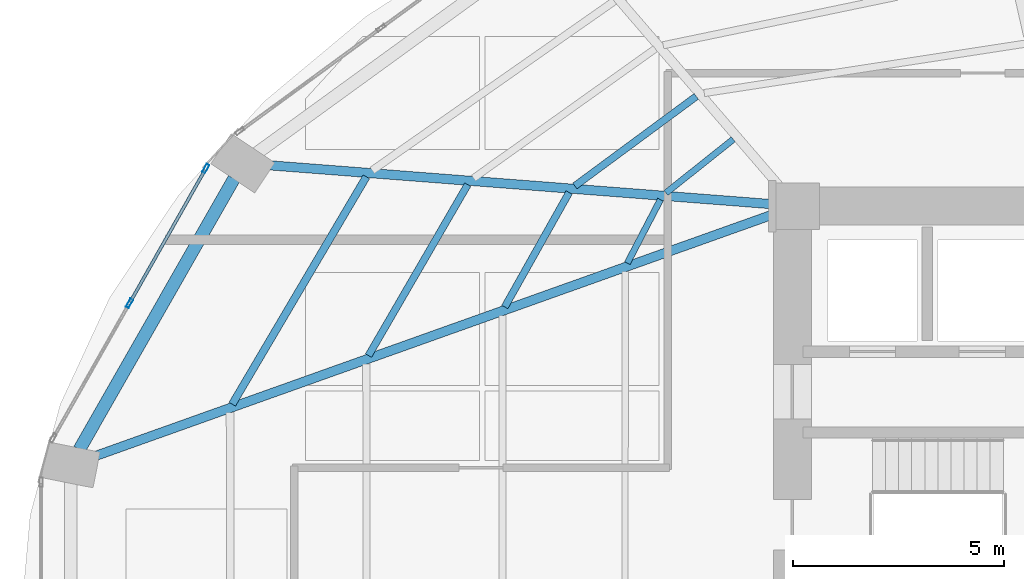
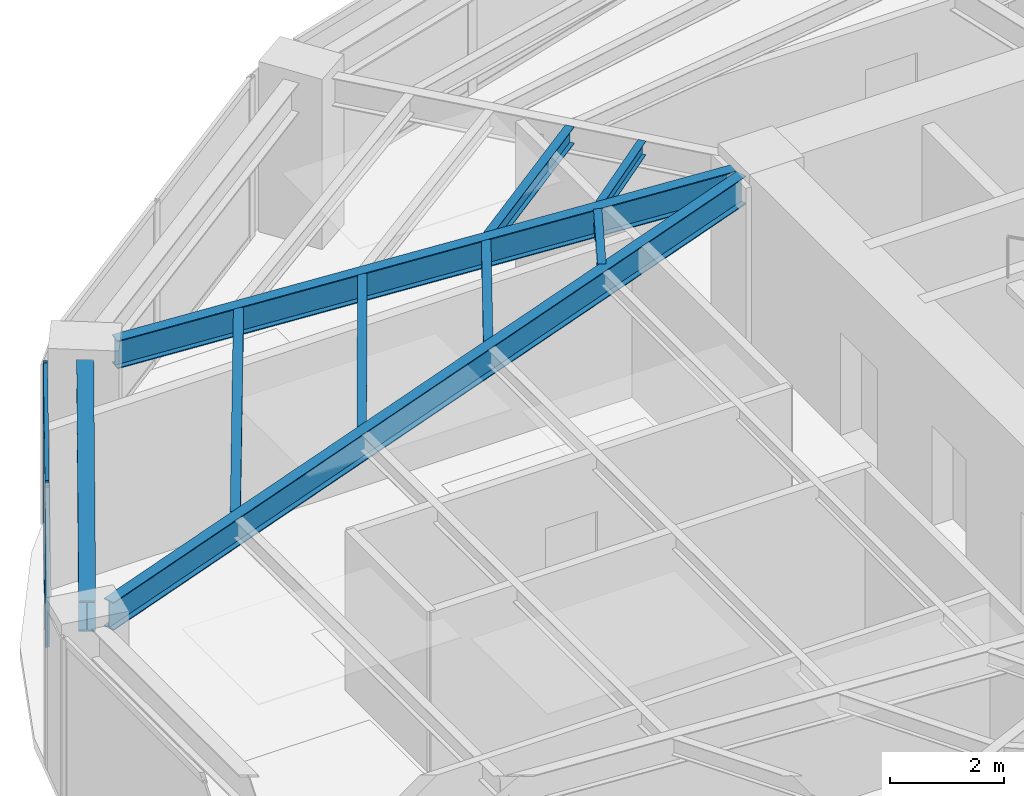
# One storey, part 8 of 24: 9 beams, 4 members, 1 element without a shape of its own.
"""IFC4 building model written with IfcOpenShell, lengths in metres."""

import ifcopenshell
import ifcopenshell.guid

model = None  # the IFC model being written
_history = None  # IfcOwnerHistory: only IFC2X3 demands one
_inside = {}  # id of a spatial element -> (the spatial element, [elements in it])
_under = {}  # id of a project, library or spatial element -> (it, [spatial elements below it])
_declared = {}  # id of a project -> (the project, [libraries it declares])
_typed = {}  # id of a type object -> (the type object, [elements of that type])
_made_of = {}  # id of a material, layer set ... -> (it, [elements and type objects made of it])


def new_model(schema):
    """Start an empty IFC model of exactly this schema.

    Asked for "IFC4X3", IfcOpenShell would pick the latest addendum, in which some entities
    have other attributes; the version numbers below select the first issue.
    IFC2X3 requires an IfcOwnerHistory on every rooted entity: one is made here for all.
    """
    global model, _history
    if schema == "IFC4X3":
        model = ifcopenshell.file(schema_version=(4, 3, 0, 0))
    else:
        model = ifcopenshell.file(schema=schema)
    _inside.clear()
    _under.clear()
    _declared.clear()
    _typed.clear()
    _made_of.clear()
    _history = None
    if model.schema == "IFC2X3":
        org = make("IfcOrganization", Name="unknown")
        user = make(
            "IfcPersonAndOrganization",
            ThePerson=make("IfcPerson", FamilyName="unknown"),
            TheOrganization=org,
        )
        app = make(
            "IfcApplication",
            ApplicationDeveloper=org,
            Version="unknown",
            ApplicationFullName="unknown",
            ApplicationIdentifier="unknown",
        )
        _history = make(
            "IfcOwnerHistory",
            OwningUser=user,
            OwningApplication=app,
            ChangeAction="ADDED",
            CreationDate=0,
        )
    return model


def make(cls, **values):
    """One entity of the class cls with the attributes given. An attribute that is None is left unset."""
    return model.create_entity(
        cls, **{name: value for name, value in values.items() if value is not None}
    )


def rooted(cls, **values):
    """An entity with a GlobalId (a new one), such as an element, a storey or a relation."""
    return make(cls, GlobalId=ifcopenshell.guid.new(), OwnerHistory=_history, **values)


def si_unit(unit_type, name, prefix=None):
    """IfcSIUnit, for example si_unit("LENGTHUNIT", "METRE", prefix="MILLI")."""
    return make("IfcSIUnit", UnitType=unit_type, Prefix=prefix, Name=name)


def assignment(units):
    """IfcUnitAssignment: the units of a project."""
    return None if units is None else make("IfcUnitAssignment", Units=units)


def point(xyz):
    """IfcCartesianPoint."""
    return None if xyz is None else make("IfcCartesianPoint", Coordinates=xyz)


def direction(xyz):
    """IfcDirection."""
    return None if xyz is None else make("IfcDirection", DirectionRatios=xyz)


def frame(location, z_axis=None, x_axis=None):
    """IfcAxis2Placement3D, a coordinate frame: its origin and axes. An axis left out is left unset."""
    return make(
        "IfcAxis2Placement3D",
        Location=point(location),
        Axis=direction(z_axis),
        RefDirection=direction(x_axis),
    )


def frame_2d(location, x_axis=None):
    """IfcAxis2Placement2D, a coordinate frame in the plane: its origin and x axis."""
    return make(
        "IfcAxis2Placement2D", Location=point(location), RefDirection=direction(x_axis)
    )


def origin():
    """The frame at (0, 0, 0) with its axes left unset."""
    return frame((0.0, 0.0, 0.0))


def origin_2d():
    """The frame at (0, 0) in the plane with its x axis left unset."""
    return frame_2d((0.0, 0.0))


def place(relative_to, where):
    """IfcLocalPlacement: puts the frame where relative to a parent placement (None: the world)."""
    return make(
        "IfcLocalPlacement", PlacementRelTo=relative_to, RelativePlacement=where
    )


def context(
    kind, dimensions, precision=None, world=None, true_north=None, identifier=None
):
    """IfcGeometricRepresentationContext, for example the 3D "Model" context."""
    return make(
        "IfcGeometricRepresentationContext",
        ContextIdentifier=identifier,
        ContextType=kind,
        CoordinateSpaceDimension=dimensions,
        Precision=precision,
        WorldCoordinateSystem=world,
        TrueNorth=true_north,
    )


def subcontext(parent, identifier, kind, view, scale=None):
    """IfcGeometricRepresentationSubContext, for example "Body" below "Model"."""
    return make(
        "IfcGeometricRepresentationSubContext",
        ContextIdentifier=identifier,
        ContextType=kind,
        ParentContext=parent,
        TargetScale=scale,
        TargetView=view,
    )


def project(units=None, contexts=None):
    """IfcProject with its units and contexts."""
    return rooted(
        "IfcProject",
        Name="project",
        RepresentationContexts=contexts,
        UnitsInContext=assignment(units),
    )


def spatial(cls, under=None, at=None, **own):
    """A site, building, storey or space (cls), placed at a placement, below another one or the project."""
    s = rooted(cls, ObjectPlacement=at, **own)
    if under is not None:
        _under.setdefault(under.id(), (under, []))[1].append(s)
    return s


def profile(cls, at=None, kind="AREA", **sizes):
    """A parametric profile (cls). Its sizes go by their IFC names, for example OverallWidth=200.0."""
    return make(cls, ProfileType=kind, Position=at, **sizes)


def hollow_rectangle(**sizes):
    """IfcRectangleHollowProfileDef."""
    return profile("IfcRectangleHollowProfileDef", **sizes)


def i_section(**sizes):
    """IfcIShapeProfileDef."""
    return profile("IfcIShapeProfileDef", **sizes)


def extrude(swept, where, along, depth):
    """IfcExtrudedAreaSolid: the profile swept, set in the frame where, extruded along a direction by depth."""
    return make(
        "IfcExtrudedAreaSolid",
        SweptArea=swept,
        Position=where,
        ExtrudedDirection=direction(along),
        Depth=depth,
    )


def shape(context_of_items, identifier, shape_type, items):
    """IfcShapeRepresentation: the items that make up one representation, for example the "Body"."""
    return make(
        "IfcShapeRepresentation",
        ContextOfItems=context_of_items,
        RepresentationIdentifier=identifier,
        RepresentationType=shape_type,
        Items=items,
    )


def material(Name=None, Category=None):
    """IfcMaterial."""
    return make("IfcMaterial", Name=Name, Category=Category)


def layer(
    of_material, thickness, ventilated=None, Name=None, Category=None, Priority=None
):
    """IfcMaterialLayer: one layer of a wall or slab, of a material (None: an air gap)."""
    return make(
        "IfcMaterialLayer",
        Material=of_material,
        LayerThickness=thickness,
        IsVentilated=ventilated,
        Name=Name,
        Category=Category,
        Priority=Priority,
    )


def layer_set(layers, Name=None):
    """IfcMaterialLayerSet."""
    return make("IfcMaterialLayerSet", MaterialLayers=layers, LayerSetName=Name)


def material_profile(
    of_material, cross_section, Name=None, Category=None, Priority=None
):
    """IfcMaterialProfile: a cross section and its material."""
    return make(
        "IfcMaterialProfile",
        Name=Name,
        Material=of_material,
        Profile=cross_section,
        Priority=Priority,
        Category=Category,
    )


def profile_set(profiles, Name=None, composite=None):
    """IfcMaterialProfileSet."""
    return make(
        "IfcMaterialProfileSet",
        Name=Name,
        MaterialProfiles=profiles,
        CompositeProfile=composite,
    )


def made_of(thing, what):
    """Note that an element or type object is made of a material, layer set ...; save() writes the relation."""
    if what is not None:
        _made_of.setdefault(what.id(), (what, []))[1].append(thing)
    return thing


def type_object(cls, material=None, **own):
    """A type object (cls), such as IfcWallType, which elements share."""
    return made_of(rooted(cls, **own), material)


def element(
    cls,
    number,
    at=None,
    inside=None,
    cuts=None,
    type_object=None,
    material=None,
    context=None,
    identifier="Body",
    shape_type=None,
    held_by="IfcProductDefinitionShape",
    body=None,
    shapes=None,
    **own,
):
    """One element of the class cls, such as IfcWall. Its Tag is "e" and its number.

    at: its placement. inside: the storey or other place that contains it. cuts: it is an
    opening in that element (IfcRelVoidsElement). A single representation is given by context,
    identifier, shape_type and body (its items); several are given by shapes. held_by: the class
    of the entity that holds the representations. save() writes the other relations.
    """
    e = rooted(cls, Tag="e%d" % number, ObjectPlacement=at, **own)
    if body is not None:
        shapes = [shape(context, identifier, shape_type, body)]
    if shapes is not None:
        e.Representation = make(held_by, Representations=shapes)
    if inside is not None:
        _inside.setdefault(inside.id(), (inside, []))[1].append(e)
    if cuts is not None:
        rooted(
            "IfcRelVoidsElement", RelatingBuildingElement=cuts, RelatedOpeningElement=e
        )
    if type_object is not None:
        _typed.setdefault(type_object.id(), (type_object, []))[1].append(e)
    return made_of(e, material)


def aggregate(whole, parts):
    """IfcRelAggregates: a whole, such as a stair, and the parts it consists of."""
    return rooted("IfcRelAggregates", RelatingObject=whole, RelatedObjects=parts)


def save(model, path):
    """Write the relations noted so far, then the file.

    IfcRelAggregates (storeys below a building ...), IfcRelContainedInSpatialStructure (elements
    in a storey), IfcRelDefinesByType, IfcRelAssociatesMaterial and IfcRelDeclares: one each for
    every whole, place, type object, material and project.
    """
    for whole, parts in _under.values():
        aggregate(whole, parts)
    for where, things in _inside.values():
        rooted(
            "IfcRelContainedInSpatialStructure",
            RelatedElements=things,
            RelatingStructure=where,
        )
    for kind, things in _typed.values():
        rooted("IfcRelDefinesByType", RelatedObjects=things, RelatingType=kind)
    for what, things in _made_of.values():
        rooted("IfcRelAssociatesMaterial", RelatedObjects=things, RelatingMaterial=what)
    for by, libraries in _declared.values():
        rooted("IfcRelDeclares", RelatingContext=by, RelatedDefinitions=libraries)
    model.write(path)


model = new_model("IFC4")

# Units and contexts
model_context = context("Model", 3, precision=1e-05, world=origin(), true_north=direction((0.0, 1.0)))
body_context = subcontext(model_context, "Body", "Model", "MODEL_VIEW")
ifc_project = project(units=[si_unit("LENGTHUNIT", "METRE"), si_unit("AREAUNIT", "SQUARE_METRE"), si_unit("VOLUMEUNIT", "CUBIC_METRE"), si_unit("PLANEANGLEUNIT", "RADIAN"), si_unit("MASSUNIT", "GRAM", prefix="KILO")], contexts=[model_context])

# Site, building, storey
site_placement = place(None, origin())
site = spatial("IfcSite", under=ifc_project, at=site_placement, CompositionType="ELEMENT")
building_placement = place(site_placement, origin())
building = spatial("IfcBuilding", under=site, at=building_placement, Name="Lazwardi Medical Tower", CompositionType="ELEMENT")
storey_placement = place(building_placement, frame((0.0, 0.0, 61.679931640625)))
storey = spatial("IfcBuildingStorey", under=building, at=storey_placement, Name="L15", CompositionType="ELEMENT", Elevation=61.679931640625)

# Beams
ifc_material_1 = material(Name="Steel S355", Category="steel")
ifc_material_profile_1 = material_profile(ifc_material_1, i_section(OverallWidth=0.300048828125, OverallDepth=0.64990234375, WebThickness=0.01611328125, FlangeThickness=0.031005859375, at=origin_2d()), Name="HEB 650")
ifc_profile_set_1 = profile_set([ifc_material_profile_1], Name="Steel S355")
beam_type_1 = type_object("IfcBeamType", Name="BM-RB-Z1", PredefinedType="BEAM", material=ifc_profile_set_1)
beam_1_placement = place(storey_placement, frame((13.072021484375, 36.24951171875, 3.10302734375), z_axis=(-0.495829348644, -0.868419977328, 0.0), x_axis=(0.868419977328, -0.495829348644, 0.0)))
element("IfcBeam", 1, at=beam_1_placement, inside=storey, type_object=beam_type_1, Name="Ring beam RB-02 B11 L15", PredefinedType="BEAM", context=body_context, shape_type="SweptSolid", body=[
    extrude(i_section(OverallWidth=0.300048828125, OverallDepth=0.64990234375, WebThickness=0.01611328125, FlangeThickness=0.031005859375, at=origin_2d()), origin(), (0.0, 0.0, 1.0), 7.38916015625),
])
ifc_material_profile_2 = material_profile(ifc_material_1, i_section(OverallWidth=0.219970703125, OverallDepth=0.60009765625, WebThickness=0.011962890625, FlangeThickness=0.01904296875, at=origin_2d()), Name="IPE 600")
ifc_profile_set_2 = profile_set([ifc_material_profile_2], Name="Steel S355")
beam_type_2 = type_object("IfcBeamType", Name="BM-RG-W1", PredefinedType="BEAM", material=ifc_profile_set_2)
beam_2_placement = place(storey_placement, frame((13.8583984375, 36.569580078125, 3.128173828125), z_axis=(0.997024241118, -0.077088667283, 0.0), x_axis=(0.077088667283, 0.997024241118, 0.0)))
element("IfcBeam", 2, at=beam_2_placement, inside=storey, type_object=beam_type_2, Name="Radial girder RG-02 R11 L15", PredefinedType="BEAM", context=body_context, shape_type="SweptSolid", body=[
    extrude(i_section(OverallWidth=0.219970703125, OverallDepth=0.60009765625, WebThickness=0.011962890625, FlangeThickness=0.01904296875, at=origin_2d()), origin(), (0.0, 0.0, 1.0), 12.044189453125),
])
beam_3_placement = place(storey_placement, frame((9.746337890625, 29.66259765625, 3.128173828125), z_axis=(0.941925080425, 0.335823082688, 0.0), x_axis=(-0.335823082688, 0.941925080425, 0.0)))
element("IfcBeam", 3, at=beam_3_placement, inside=storey, type_object=beam_type_2, Name="Radial girder RG-02 R12 L15", PredefinedType="BEAM", context=body_context, shape_type="SweptSolid", body=[
    extrude(i_section(OverallWidth=0.219970703125, OverallDepth=0.60009765625, WebThickness=0.011962890625, FlangeThickness=0.01904296875, at=origin_2d()), origin(), (0.0, 0.0, 1.0), 17.145263671875),
])
ifc_material_profile_3 = material_profile(ifc_material_1, i_section(OverallWidth=0.179931640625, OverallDepth=0.39990234375, WebThickness=0.008544921875, FlangeThickness=0.013427734375, at=origin_2d()), Name="IPE 400")
ifc_profile_set_3 = profile_set([ifc_material_profile_3], Name="Steel S355")
beam_type_3 = type_object("IfcBeamType", Name="BM-SJ-01", PredefinedType="JOIST", material=ifc_profile_set_3)
beam_4_placement = place(storey_placement, frame((16.206787109375, 36.29345703125, 3.22802734375), z_axis=(-0.507886270937, -0.861424132349, 0.0), x_axis=(0.861424132349, -0.507886270937, 0.0)))
element("IfcBeam", 4, at=beam_4_placement, inside=storey, type_object=beam_type_3, Name="Secondary joist SJ-01 R1 B11 L15", PredefinedType="JOIST", context=body_context, shape_type="SweptSolid", body=[
    extrude(i_section(OverallWidth=0.179931640625, OverallDepth=0.39990234375, WebThickness=0.008544921875, FlangeThickness=0.013427734375, at=origin_2d()), origin(), (0.0, 0.0, 1.0), 6.255859375),
])
ifc_material_profile_4 = material_profile(ifc_material_1, i_section(OverallWidth=0.169921875, OverallDepth=0.360107421875, WebThickness=0.008056640625, FlangeThickness=0.0126953125, at=origin_2d()), Name="IPE 360")
ifc_profile_set_4 = profile_set([ifc_material_profile_4], Name="Steel S355")
beam_type_4 = type_object("IfcBeamType", Name="BM-SJ-02", PredefinedType="JOIST", material=ifc_profile_set_4)
beam_5_placement = place(storey_placement, frame((18.60888671875, 36.107421875, 3.248046875), z_axis=(-0.501798442848, -0.86498457949, 0.0), x_axis=(0.86498457949, -0.501798442848, 0.0)))
element("IfcBeam", 5, at=beam_5_placement, inside=storey, type_object=beam_type_4, Name="Secondary joist SJ-02 R2 B11 L15", PredefinedType="JOIST", context=body_context, shape_type="SweptSolid", body=[
    extrude(i_section(OverallWidth=0.169921875, OverallDepth=0.360107421875, WebThickness=0.008056640625, FlangeThickness=0.0126953125, at=origin_2d()), origin(), (0.0, 0.0, 1.0), 4.683349609375),
])
beam_6_placement = place(storey_placement, frame((24.025146484375, 38.19873046875, 3.248046875), z_axis=(-0.804580292353, -0.593843879448, 0.0), x_axis=(0.593843879448, -0.804580292353, 0.0)))
element("IfcBeam", 6, at=beam_6_placement, inside=storey, type_object=beam_type_4, Name="Secondary joist SJ-02 R3 B10 L15", PredefinedType="JOIST", context=body_context, shape_type="SweptSolid", body=[
    extrude(i_section(OverallWidth=0.169921875, OverallDepth=0.360107421875, WebThickness=0.008056640625, FlangeThickness=0.0126953125, at=origin_2d()), origin(), (0.0, 0.0, 1.0), 3.576416015625),
])
beam_7_placement = place(storey_placement, frame((21.011962890625, 35.9208984375, 3.248046875), z_axis=(-0.489974339037, -0.87173685656, 0.0), x_axis=(0.87173685656, -0.489974339037, 0.0)))
element("IfcBeam", 7, at=beam_7_placement, inside=storey, type_object=beam_type_4, Name="Secondary joist SJ-02 R3 B11 L15", PredefinedType="JOIST", context=body_context, shape_type="SweptSolid", body=[
    extrude(i_section(OverallWidth=0.169921875, OverallDepth=0.360107421875, WebThickness=0.008056640625, FlangeThickness=0.0126953125, at=origin_2d()), origin(), (0.0, 0.0, 1.0), 3.111328125),
])
ifc_material_profile_5 = material_profile(ifc_material_1, i_section(OverallWidth=0.14990234375, OverallDepth=0.300048828125, WebThickness=0.007080078125, FlangeThickness=0.0107421875, at=origin_2d()), Name="IPE 300")
ifc_profile_set_5 = profile_set([ifc_material_profile_5], Name="Steel S355")
beam_type_5 = type_object("IfcBeamType", Name="BM-SJ-03", PredefinedType="JOIST", material=ifc_profile_set_5)
beam_8_placement = place(storey_placement, frame((24.901123046875, 37.1806640625, 3.278076171875), z_axis=(-0.782210957226, -0.623013658274, 0.0), x_axis=(0.623013658274, -0.782210957226, 0.0)))
element("IfcBeam", 8, at=beam_8_placement, inside=storey, type_object=beam_type_5, Name="Secondary joist SJ-03 R4 B10 L15", PredefinedType="JOIST", context=body_context, shape_type="SweptSolid", body=[
    extrude(i_section(OverallWidth=0.14990234375, OverallDepth=0.300048828125, WebThickness=0.007080078125, FlangeThickness=0.0107421875, at=origin_2d()), origin(), (0.0, 0.0, 1.0), 2.0380859375),
])
beam_9_placement = place(storey_placement, frame((23.17626953125, 35.752197265625, 3.278076171875), z_axis=(-0.462162985948, -0.88679500135, 0.0), x_axis=(0.88679500135, -0.462162985948, 0.0)))
element("IfcBeam", 9, at=beam_9_placement, inside=storey, type_object=beam_type_5, Name="Secondary joist SJ-03 R4 B11 L15", PredefinedType="JOIST", context=body_context, shape_type="SweptSolid", body=[
    extrude(i_section(OverallWidth=0.14990234375, OverallDepth=0.300048828125, WebThickness=0.007080078125, FlangeThickness=0.0107421875, at=origin_2d()), origin(), (0.0, 0.0, 1.0), 1.69775390625),
])

# Curtain wall, members
ifc_material_2 = material(Name="Anodised bronze aluminium and solar control glazing", Category="aluminium")
ifc_layer = layer(ifc_material_2, 0.199951171875)
ifc_layer_set = layer_set([ifc_layer], Name="Anodised bronze aluminium and solar control glazing")
curtain_wall_type = type_object("IfcCurtainWallType", Name="CW-SYS-02", PredefinedType="NOTDEFINED", material=ifc_layer_set)
curtain_wall_placement = place(storey_placement, origin())
curtain_wall = element("IfcCurtainWall", 10, at=curtain_wall_placement, inside=storey, type_object=curtain_wall_type, Name="L15 Unitised bronze curtain wall CW-02", PredefinedType="NOTDEFINED")
ifc_material_3 = material(Name="Anodised bronze aluminium", Category="aluminium")
ifc_material_profile_6 = material_profile(ifc_material_3, hollow_rectangle(XDim=0.074951171875, YDim=0.219970703125, WallThickness=0.00390625, at=origin_2d()), Name="ALU-MULLION 220x75x4")
ifc_profile_set_6 = profile_set([ifc_material_profile_6], Name="Anodised bronze aluminium")
member_type_1 = type_object("IfcMemberType", Name="CW-MUL-01", PredefinedType="MULLION", material=ifc_profile_set_6)
member_1_placement = place(storey_placement, frame((12.4033203125, 36.488525390625, 0.0), z_axis=(0.0, 0.0, 1.0), x_axis=(0.870111838823, -0.492854327303, 0.0)))
member_1 = element("IfcMember", 11, at=member_1_placement, type_object=member_type_1, Name="CW-02 mullion 1", PredefinedType="MULLION", context=body_context, shape_type="SweptSolid", body=[
    extrude(hollow_rectangle(XDim=0.074951171875, YDim=0.219970703125, WallThickness=0.00390625, at=origin_2d()), origin(), (0.0, 0.0, 1.0), 3.427978515625),
])
member_2_placement = place(storey_placement, frame((10.5947265625, 33.29541015625, 0.0), z_axis=(0.0, 0.0, 1.0), x_axis=(0.870111838823, -0.492854327303, 0.0)))
member_2 = element("IfcMember", 12, at=member_2_placement, type_object=member_type_1, Name="CW-02 mullion 2", PredefinedType="MULLION", context=body_context, shape_type="SweptSolid", body=[
    extrude(hollow_rectangle(XDim=0.074951171875, YDim=0.219970703125, WallThickness=0.00390625, at=origin_2d()), origin(), (0.0, 0.0, 1.0), 3.427978515625),
])
ifc_material_profile_7 = material_profile(ifc_material_3, hollow_rectangle(XDim=0.074951171875, YDim=0.159912109375, WallThickness=0.00390625, at=origin_2d()), Name="ALU-TRANSOM 160x75x4")
ifc_profile_set_7 = profile_set([ifc_material_profile_7], Name="Anodised bronze aluminium")
member_type_2 = type_object("IfcMemberType", Name="CW-TRN-01", PredefinedType="USERDEFINED", material=ifc_profile_set_7)
member_3_placement = place(storey_placement, frame((12.384765625, 36.4560546875, 0.03759765625), z_axis=(-0.49285148925, -0.870113446365, 0.0), x_axis=(0.870113446365, -0.49285148925, 0.0)))
member_3 = element("IfcMember", 13, at=member_3_placement, type_object=member_type_2, Name="CW-02 transom 1.1", ObjectType="TRANSOM", PredefinedType="USERDEFINED", context=body_context, shape_type="SweptSolid", body=[
    extrude(hollow_rectangle(XDim=0.074951171875, YDim=0.159912109375, WallThickness=0.00390625, at=origin_2d()), origin(), (0.0, 0.0, 1.0), 3.594970703125),
])
member_4_placement = place(storey_placement, frame((12.384765625, 36.4560546875, 3.390625), z_axis=(-0.49285148925, -0.870113446365, 0.0), x_axis=(0.870113446365, -0.49285148925, 0.0)))
member_4 = element("IfcMember", 14, at=member_4_placement, type_object=member_type_2, Name="CW-02 transom 1.2", ObjectType="TRANSOM", PredefinedType="USERDEFINED", context=body_context, shape_type="SweptSolid", body=[
    extrude(hollow_rectangle(XDim=0.074951171875, YDim=0.159912109375, WallThickness=0.00390625, at=origin_2d()), origin(), (0.0, 0.0, 1.0), 3.594970703125),
])
aggregate(curtain_wall, [member_1, member_2, member_3, member_4])

save(model, "model.ifc")
